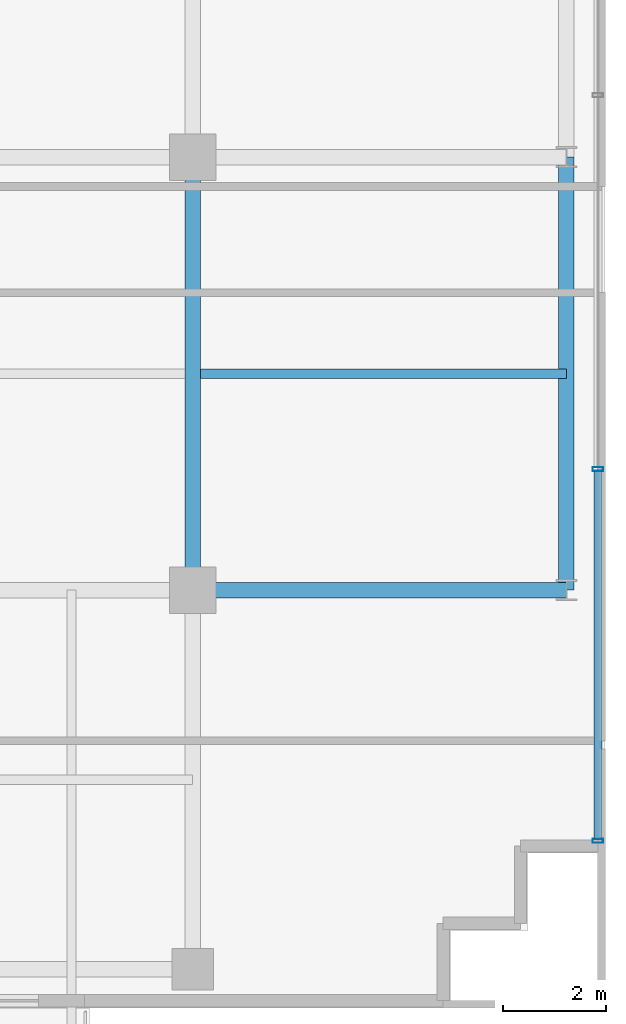
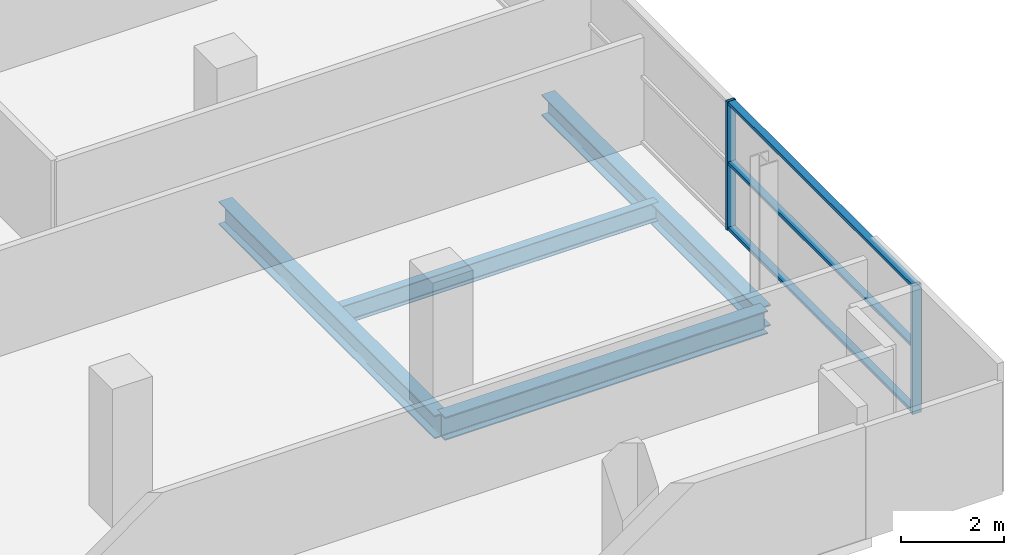
# One storey, part 7 of 23: 5 members, 4 beams, 1 element without a shape of its own.
"""IFC4 building model written with IfcOpenShell, lengths in metres."""

from ifc_helpers import new_model, si_unit, direction, frame, origin, origin_2d, place, context, subcontext, project, spatial, hollow_rectangle, i_section, extrude, source, transform, mapped, material, layer, layer_set, material_profile, profile_set, type_object, element, aggregate, save


model = new_model("IFC4")

# Units and contexts
model_context = context("Model", 3, precision=1e-05, world=origin(), true_north=direction((0.0, 1.0)))
body_context = subcontext(model_context, "Body", "Model", "MODEL_VIEW")
ifc_project = project(units=[si_unit("LENGTHUNIT", "METRE"), si_unit("AREAUNIT", "SQUARE_METRE"), si_unit("VOLUMEUNIT", "CUBIC_METRE"), si_unit("PLANEANGLEUNIT", "RADIAN"), si_unit("MASSUNIT", "GRAM", prefix="KILO")], contexts=[model_context])

# Site, building, storey
site_placement = place(None, origin())
site = spatial("IfcSite", under=ifc_project, at=site_placement, CompositionType="ELEMENT")
building_placement = place(site_placement, origin())
building = spatial("IfcBuilding", under=site, at=building_placement, Name="Zarnakvel Exchange Tower", CompositionType="ELEMENT")
storey_placement = place(building_placement, frame((0.0, 0.0, 116.5)))
storey = spatial("IfcBuildingStorey", under=building, at=storey_placement, Name="L32", CompositionType="ELEMENT", Elevation=116.5)

# Beams
ifc_material_1 = material(Name="Steel S355", Category="steel")
ifc_material_profile_1 = material_profile(ifc_material_1, i_section(OverallWidth=0.18994140625, OverallDepth=0.449951171875, WebThickness=0.009521484375, FlangeThickness=0.0146484375, FilletRadius=0.02099609375, at=origin_2d()))
ifc_profile_set_1 = profile_set([ifc_material_profile_1], Name="Steel S355")
beam_type_1 = type_object("IfcBeamType", Name="B-05", PredefinedType="JOIST", material=ifc_profile_set_1)
beam_1_placement = place(storey_placement, frame((21.75, -5.39990234375, -0.449951171875), z_axis=(1.0, 0.0, 0.0), x_axis=(0.0, 1.0, 0.0)))
element("IfcBeam", 1, at=beam_1_placement, inside=storey, type_object=beam_type_1, Name="L32 Composite Floor Secondary Joist", PredefinedType="JOIST", context=body_context, shape_type="SweptSolid", body=[
    extrude(i_section(OverallWidth=0.18994140625, OverallDepth=0.449951171875, WebThickness=0.009521484375, FlangeThickness=0.0146484375, FilletRadius=0.02099609375, at=origin_2d()), origin(), (0.0, 0.0, 1.0), 7.10009765625),
])
ifc_material_profile_2 = material_profile(ifc_material_1, i_section(OverallWidth=0.300048828125, OverallDepth=0.550048828125, WebThickness=0.014892578125, FlangeThickness=0.029052734375, FilletRadius=0.027099609375, at=origin_2d()))
ifc_profile_set_2 = profile_set([ifc_material_profile_2], Name="Steel S355")
beam_type_2 = type_object("IfcBeamType", Name="G-05", PredefinedType="BEAM", material=ifc_profile_set_2)
beam_2_placement = place(storey_placement, frame((21.60009765625, -9.60009765625, -0.5), z_axis=(1.0, 0.0, 0.0), x_axis=(0.0, 1.0, 0.0)))
element("IfcBeam", 2, at=beam_2_placement, inside=storey, type_object=beam_type_2, Name="L32 Tower E-W Frame Beam", PredefinedType="BEAM", context=body_context, shape_type="SweptSolid", body=[
    extrude(i_section(OverallWidth=0.300048828125, OverallDepth=0.550048828125, WebThickness=0.014892578125, FlangeThickness=0.029052734375, FilletRadius=0.027099609375, at=origin_2d()), origin(), (0.0, 0.0, 1.0), 7.25),
])
beam_3_placement = place(storey_placement, frame((21.60009765625, -9.60009765625, -0.5), z_axis=(0.0, 1.0, 0.0), x_axis=(-1.0, 0.0, 0.0)))
element("IfcBeam", 3, at=beam_3_placement, inside=storey, type_object=beam_type_2, Name="L32 Tower N-S Frame Beam", PredefinedType="BEAM", context=body_context, shape_type="SweptSolid", body=[
    extrude(i_section(OverallWidth=0.300048828125, OverallDepth=0.550048828125, WebThickness=0.014892578125, FlangeThickness=0.029052734375, FilletRadius=0.027099609375, at=origin_2d()), origin(), (0.0, 0.0, 1.0), 8.400146484375),
])
ifc_material_profile_3 = material_profile(ifc_material_1, i_section(OverallWidth=0.300048828125, OverallDepth=0.5, WebThickness=0.014404296875, FlangeThickness=0.028076171875, FilletRadius=0.027099609375, at=origin_2d()))
ifc_profile_set_3 = profile_set([ifc_material_profile_3], Name="Steel S355")
beam_type_3 = type_object("IfcBeamType", Name="SP-02", PredefinedType="SPANDREL", material=ifc_profile_set_3)
beam_4_placement = place(storey_placement, frame((28.85009765625, -9.60009765625, -0.47509765625), z_axis=(0.0, 1.0, 0.0), x_axis=(-1.0, 0.0, 0.0)))
element("IfcBeam", 4, at=beam_4_placement, inside=storey, type_object=beam_type_3, Name="L32 Tower N-S Frame Beam", PredefinedType="SPANDREL", context=body_context, shape_type="SweptSolid", body=[
    extrude(i_section(OverallWidth=0.300048828125, OverallDepth=0.5, WebThickness=0.014404296875, FlangeThickness=0.028076171875, FilletRadius=0.027099609375, at=origin_2d()), origin(), (0.0, 0.0, 1.0), 8.400146484375),
])

# Curtain wall, members
ifc_material_2 = material(Name="Architectural Bronze Anodised Aluminium", Category="aluminium")
ifc_layer = layer(ifc_material_2, 0.199951171875)
ifc_layer_set = layer_set([ifc_layer], Name="Architectural Bronze Anodised Aluminium")
curtain_wall_type = type_object("IfcCurtainWallType", Name="CW-04", PredefinedType="NOTDEFINED", material=ifc_layer_set)
curtain_wall_placement = place(storey_placement, origin())
curtain_wall = element("IfcCurtainWall", 5, at=curtain_wall_placement, inside=storey, type_object=curtain_wall_type, Name="L32 Curtain Wall CW-L32-E1 (CW-04)", PredefinedType="NOTDEFINED")
ifc_material_profile_4 = material_profile(ifc_material_2, hollow_rectangle(XDim=0.199951171875, YDim=0.074951171875, WallThickness=0.0048828125, at=origin_2d()))
ifc_profile_set_4 = profile_set([ifc_material_profile_4], Name="Architectural Bronze Anodised Aluminium")
member_type_1 = type_object("IfcMemberType", Name="CWM-04", PredefinedType="MULLION", material=ifc_profile_set_4)
shared_shape_1 = source(origin(), body_context, "Body", "SweptSolid", [
    extrude(hollow_rectangle(XDim=0.199951171875, YDim=0.074951171875, WallThickness=0.0048828125, at=origin_2d()), origin(), (0.0, 0.0, 1.0), 3.054931640625),
])
member_1_placement = place(storey_placement, frame((29.4599609375, -14.46240234375, 0.0), z_axis=(0.0, 0.0, 1.0), x_axis=(-1.0, 0.0, 0.0)))
member_1 = element("IfcMember", 6, at=member_1_placement, type_object=member_type_1, Name="CW-04 mullion 1", PredefinedType="MULLION", context=body_context, shape_type="MappedRepresentation", body=[
    mapped(shared_shape_1, transform((0.0, 0.0, 0.0), x_axis=(1.0, 0.0, 0.0), y_axis=(0.0, 1.0, 0.0), z_axis=(0.0, 0.0, 1.0), scale=1.0)),
])
member_2_placement = place(storey_placement, frame((29.4599609375, -7.25, 0.0), z_axis=(0.0, 0.0, 1.0), x_axis=(-1.0, 0.0, 0.0)))
member_2 = element("IfcMember", 7, at=member_2_placement, type_object=member_type_1, Name="CW-04 mullion 2", PredefinedType="MULLION", context=body_context, shape_type="MappedRepresentation", body=[
    mapped(shared_shape_1, transform((0.0, 0.0, 0.0), x_axis=(1.0, 0.0, 0.0), y_axis=(0.0, 1.0, 0.0), z_axis=(0.0, 0.0, 1.0), scale=1.0)),
])
ifc_material_profile_5 = material_profile(ifc_material_2, hollow_rectangle(XDim=0.159912109375, YDim=0.074951171875, WallThickness=0.00390625, at=origin_2d()))
ifc_profile_set_5 = profile_set([ifc_material_profile_5], Name="Architectural Bronze Anodised Aluminium")
member_type_2 = type_object("IfcMemberType", Name="CWT-04", PredefinedType="USERDEFINED", material=ifc_profile_set_5)
shared_shape_2 = source(origin(), body_context, "Body", "SweptSolid", [
    extrude(hollow_rectangle(XDim=0.159912109375, YDim=0.074951171875, WallThickness=0.00390625, at=origin_2d()), origin(), (0.0, 0.0, 1.0), 7.137451171875),
])
member_3_placement = place(storey_placement, frame((29.4599609375, -14.425048828125, 0.03759765625), z_axis=(0.0, 1.0, 0.0), x_axis=(-1.0, 0.0, 0.0)))
member_3 = element("IfcMember", 8, at=member_3_placement, type_object=member_type_2, Name="CW-04 transom 1.1", ObjectType="TRANSOM", PredefinedType="USERDEFINED", context=body_context, shape_type="MappedRepresentation", body=[
    mapped(shared_shape_2, transform((0.0, 0.0, 0.0), x_axis=(1.0, 0.0, 0.0), y_axis=(0.0, 1.0, 0.0), z_axis=(0.0, 0.0, 1.0), scale=1.0)),
])
member_4_placement = place(storey_placement, frame((29.4599609375, -14.425048828125, 1.588623046875), z_axis=(0.0, 1.0, 0.0), x_axis=(-1.0, 0.0, 0.0)))
member_4 = element("IfcMember", 9, at=member_4_placement, type_object=member_type_2, Name="CW-04 transom 1.2", ObjectType="TRANSOM", PredefinedType="USERDEFINED", context=body_context, shape_type="MappedRepresentation", body=[
    mapped(shared_shape_2, transform((0.0, 0.0, 0.0), x_axis=(1.0, 0.0, 0.0), y_axis=(0.0, 1.0, 0.0), z_axis=(0.0, 0.0, 1.0), scale=1.0)),
])
member_5_placement = place(storey_placement, frame((29.4599609375, -14.425048828125, 3.017578125), z_axis=(0.0, 1.0, 0.0), x_axis=(-1.0, 0.0, 0.0)))
member_5 = element("IfcMember", 10, at=member_5_placement, type_object=member_type_2, Name="CW-04 transom 1.3", ObjectType="TRANSOM", PredefinedType="USERDEFINED", context=body_context, shape_type="MappedRepresentation", body=[
    mapped(shared_shape_2, transform((0.0, 0.0, 0.0), x_axis=(1.0, 0.0, 0.0), y_axis=(0.0, 1.0, 0.0), z_axis=(0.0, 0.0, 1.0), scale=1.0)),
])
aggregate(curtain_wall, [member_1, member_2, member_3, member_4, member_5])

save(model, "model.ifc")
